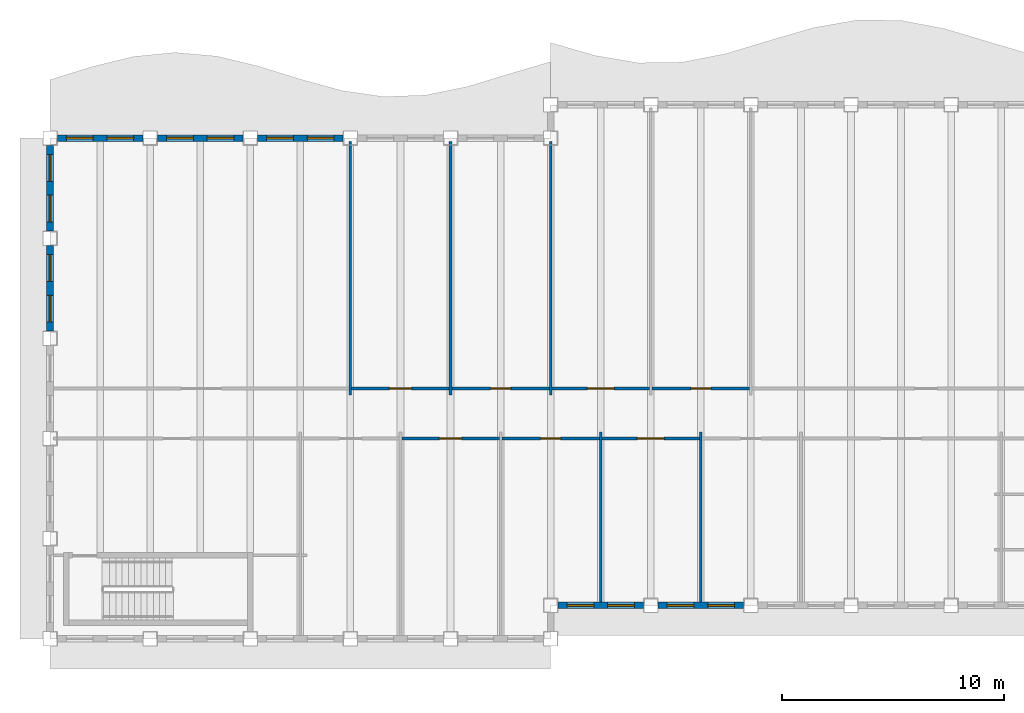
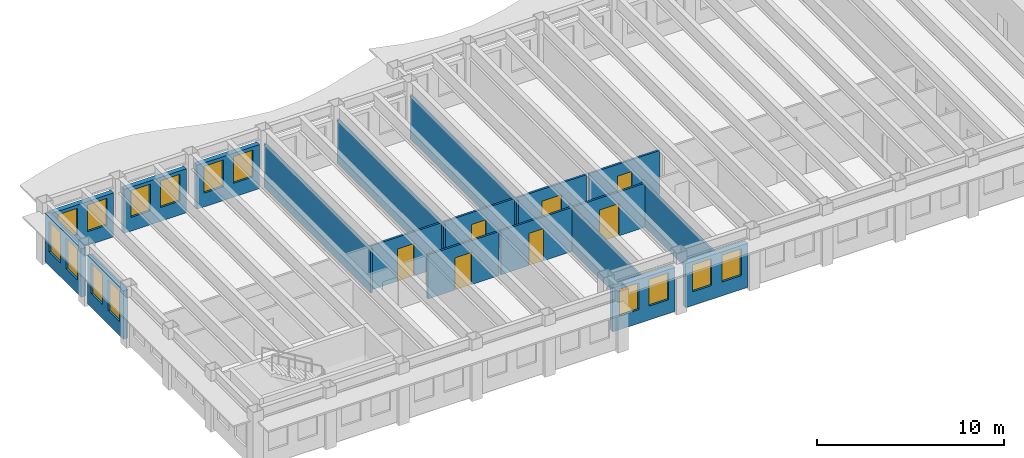
# One storey, part 3 of 12: 19 walls, 14 windows, 7 doors, 21 openings.
"""IFC4 building model written with IfcOpenShell, lengths in metres."""

import ifcopenshell
import ifcopenshell.guid

model = None  # the IFC model being written
_history = None  # IfcOwnerHistory: only IFC2X3 demands one
_inside = {}  # id of a spatial element -> (the spatial element, [elements in it])
_under = {}  # id of a project, library or spatial element -> (it, [spatial elements below it])
_declared = {}  # id of a project -> (the project, [libraries it declares])
_typed = {}  # id of a type object -> (the type object, [elements of that type])
_made_of = {}  # id of a material, layer set ... -> (it, [elements and type objects made of it])


def new_model(schema):
    """Start an empty IFC model of exactly this schema.

    Asked for "IFC4X3", IfcOpenShell would pick the latest addendum, in which some entities
    have other attributes; the version numbers below select the first issue.
    IFC2X3 requires an IfcOwnerHistory on every rooted entity: one is made here for all.
    """
    global model, _history
    if schema == "IFC4X3":
        model = ifcopenshell.file(schema_version=(4, 3, 0, 0))
    else:
        model = ifcopenshell.file(schema=schema)
    _inside.clear()
    _under.clear()
    _declared.clear()
    _typed.clear()
    _made_of.clear()
    _history = None
    if model.schema == "IFC2X3":
        org = make("IfcOrganization", Name="unknown")
        user = make(
            "IfcPersonAndOrganization",
            ThePerson=make("IfcPerson", FamilyName="unknown"),
            TheOrganization=org,
        )
        app = make(
            "IfcApplication",
            ApplicationDeveloper=org,
            Version="unknown",
            ApplicationFullName="unknown",
            ApplicationIdentifier="unknown",
        )
        _history = make(
            "IfcOwnerHistory",
            OwningUser=user,
            OwningApplication=app,
            ChangeAction="ADDED",
            CreationDate=0,
        )
    return model


def make(cls, **values):
    """One entity of the class cls with the attributes given. An attribute that is None is left unset."""
    return model.create_entity(
        cls, **{name: value for name, value in values.items() if value is not None}
    )


def rooted(cls, **values):
    """An entity with a GlobalId (a new one), such as an element, a storey or a relation."""
    return make(cls, GlobalId=ifcopenshell.guid.new(), OwnerHistory=_history, **values)


def si_unit(unit_type, name, prefix=None):
    """IfcSIUnit, for example si_unit("LENGTHUNIT", "METRE", prefix="MILLI")."""
    return make("IfcSIUnit", UnitType=unit_type, Prefix=prefix, Name=name)


def assignment(units):
    """IfcUnitAssignment: the units of a project."""
    return None if units is None else make("IfcUnitAssignment", Units=units)


def point(xyz):
    """IfcCartesianPoint."""
    return None if xyz is None else make("IfcCartesianPoint", Coordinates=xyz)


def direction(xyz):
    """IfcDirection."""
    return None if xyz is None else make("IfcDirection", DirectionRatios=xyz)


def frame(location, z_axis=None, x_axis=None):
    """IfcAxis2Placement3D, a coordinate frame: its origin and axes. An axis left out is left unset."""
    return make(
        "IfcAxis2Placement3D",
        Location=point(location),
        Axis=direction(z_axis),
        RefDirection=direction(x_axis),
    )


def frame_2d(location, x_axis=None):
    """IfcAxis2Placement2D, a coordinate frame in the plane: its origin and x axis."""
    return make(
        "IfcAxis2Placement2D", Location=point(location), RefDirection=direction(x_axis)
    )


def origin():
    """The frame at (0, 0, 0) with its axes left unset."""
    return frame((0.0, 0.0, 0.0))


def place(relative_to, where):
    """IfcLocalPlacement: puts the frame where relative to a parent placement (None: the world)."""
    return make(
        "IfcLocalPlacement", PlacementRelTo=relative_to, RelativePlacement=where
    )


def context(
    kind, dimensions, precision=None, world=None, true_north=None, identifier=None
):
    """IfcGeometricRepresentationContext, for example the 3D "Model" context."""
    return make(
        "IfcGeometricRepresentationContext",
        ContextIdentifier=identifier,
        ContextType=kind,
        CoordinateSpaceDimension=dimensions,
        Precision=precision,
        WorldCoordinateSystem=world,
        TrueNorth=true_north,
    )


def subcontext(parent, identifier, kind, view, scale=None):
    """IfcGeometricRepresentationSubContext, for example "Body" below "Model"."""
    return make(
        "IfcGeometricRepresentationSubContext",
        ContextIdentifier=identifier,
        ContextType=kind,
        ParentContext=parent,
        TargetScale=scale,
        TargetView=view,
    )


def project(units=None, contexts=None):
    """IfcProject with its units and contexts."""
    return rooted(
        "IfcProject",
        Name="project",
        RepresentationContexts=contexts,
        UnitsInContext=assignment(units),
    )


def spatial(cls, under=None, at=None, **own):
    """A site, building, storey or space (cls), placed at a placement, below another one or the project."""
    s = rooted(cls, ObjectPlacement=at, **own)
    if under is not None:
        _under.setdefault(under.id(), (under, []))[1].append(s)
    return s


def profile(cls, at=None, kind="AREA", **sizes):
    """A parametric profile (cls). Its sizes go by their IFC names, for example OverallWidth=200.0."""
    return make(cls, ProfileType=kind, Position=at, **sizes)


def rectangle(**sizes):
    """IfcRectangleProfileDef."""
    return profile("IfcRectangleProfileDef", **sizes)


def extrude(swept, where, along, depth):
    """IfcExtrudedAreaSolid: the profile swept, set in the frame where, extruded along a direction by depth."""
    return make(
        "IfcExtrudedAreaSolid",
        SweptArea=swept,
        Position=where,
        ExtrudedDirection=direction(along),
        Depth=depth,
    )


def shape(context_of_items, identifier, shape_type, items):
    """IfcShapeRepresentation: the items that make up one representation, for example the "Body"."""
    return make(
        "IfcShapeRepresentation",
        ContextOfItems=context_of_items,
        RepresentationIdentifier=identifier,
        RepresentationType=shape_type,
        Items=items,
    )


def material(Name=None, Category=None):
    """IfcMaterial."""
    return make("IfcMaterial", Name=Name, Category=Category)


def layer(
    of_material, thickness, ventilated=None, Name=None, Category=None, Priority=None
):
    """IfcMaterialLayer: one layer of a wall or slab, of a material (None: an air gap)."""
    return make(
        "IfcMaterialLayer",
        Material=of_material,
        LayerThickness=thickness,
        IsVentilated=ventilated,
        Name=Name,
        Category=Category,
        Priority=Priority,
    )


def layer_set(layers, Name=None):
    """IfcMaterialLayerSet."""
    return make("IfcMaterialLayerSet", MaterialLayers=layers, LayerSetName=Name)


def made_of(thing, what):
    """Note that an element or type object is made of a material, layer set ...; save() writes the relation."""
    if what is not None:
        _made_of.setdefault(what.id(), (what, []))[1].append(thing)
    return thing


def type_object(cls, material=None, **own):
    """A type object (cls), such as IfcWallType, which elements share."""
    return made_of(rooted(cls, **own), material)


def element(
    cls,
    number,
    at=None,
    inside=None,
    cuts=None,
    type_object=None,
    material=None,
    context=None,
    identifier="Body",
    shape_type=None,
    held_by="IfcProductDefinitionShape",
    body=None,
    shapes=None,
    **own,
):
    """One element of the class cls, such as IfcWall. Its Tag is "e" and its number.

    at: its placement. inside: the storey or other place that contains it. cuts: it is an
    opening in that element (IfcRelVoidsElement). A single representation is given by context,
    identifier, shape_type and body (its items); several are given by shapes. held_by: the class
    of the entity that holds the representations. save() writes the other relations.
    """
    e = rooted(cls, Tag="e%d" % number, ObjectPlacement=at, **own)
    if body is not None:
        shapes = [shape(context, identifier, shape_type, body)]
    if shapes is not None:
        e.Representation = make(held_by, Representations=shapes)
    if inside is not None:
        _inside.setdefault(inside.id(), (inside, []))[1].append(e)
    if cuts is not None:
        rooted(
            "IfcRelVoidsElement", RelatingBuildingElement=cuts, RelatedOpeningElement=e
        )
    if type_object is not None:
        _typed.setdefault(type_object.id(), (type_object, []))[1].append(e)
    return made_of(e, material)


def fill(opening, filler):
    """IfcRelFillsElement: the door or window that sits in an opening."""
    return rooted(
        "IfcRelFillsElement",
        RelatingOpeningElement=opening,
        RelatedBuildingElement=filler,
    )


def aggregate(whole, parts):
    """IfcRelAggregates: a whole, such as a stair, and the parts it consists of."""
    return rooted("IfcRelAggregates", RelatingObject=whole, RelatedObjects=parts)


def save(model, path):
    """Write the relations noted so far, then the file.

    IfcRelAggregates (storeys below a building ...), IfcRelContainedInSpatialStructure (elements
    in a storey), IfcRelDefinesByType, IfcRelAssociatesMaterial and IfcRelDeclares: one each for
    every whole, place, type object, material and project.
    """
    for whole, parts in _under.values():
        aggregate(whole, parts)
    for where, things in _inside.values():
        rooted(
            "IfcRelContainedInSpatialStructure",
            RelatedElements=things,
            RelatingStructure=where,
        )
    for kind, things in _typed.values():
        rooted("IfcRelDefinesByType", RelatedObjects=things, RelatingType=kind)
    for what, things in _made_of.values():
        rooted("IfcRelAssociatesMaterial", RelatedObjects=things, RelatingMaterial=what)
    for by, libraries in _declared.values():
        rooted("IfcRelDeclares", RelatingContext=by, RelatedDefinitions=libraries)
    model.write(path)


model = new_model("IFC4")

# Units and contexts
model_context = context("Model", 3, precision=1e-05, world=origin(), true_north=direction((0.0, 1.0)))
body_context = subcontext(model_context, "Body", "Model", "MODEL_VIEW")
ifc_project = project(units=[si_unit("LENGTHUNIT", "METRE"), si_unit("AREAUNIT", "SQUARE_METRE"), si_unit("VOLUMEUNIT", "CUBIC_METRE"), si_unit("PLANEANGLEUNIT", "RADIAN"), si_unit("MASSUNIT", "GRAM", prefix="KILO")], contexts=[model_context])

# Site, building, storey
site_placement = place(None, origin())
site = spatial("IfcSite", under=ifc_project, at=site_placement, CompositionType="ELEMENT")
building_placement = place(site_placement, origin())
building = spatial("IfcBuilding", under=site, at=building_placement, Name="Sennacour Bend Tower", CompositionType="ELEMENT")
storey_placement = place(building_placement, frame((0.0, 0.0, 289.0)))
storey = spatial("IfcBuildingStorey", under=building, at=storey_placement, Name="L67", CompositionType="ELEMENT", Elevation=289.0)

# Walls
ifc_material_1 = material(Name="Plasterboard partition on steel studs", Category="steel")
ifc_layer_1 = layer(ifc_material_1, 0.1201171875, Name="Plasterboard partition on steel studs", Category="steel")
ifc_layer_set_1 = layer_set([ifc_layer_1], Name="Plasterboard partition on steel studs")
wall_type_1 = type_object("IfcWallType", Name="Partition 120", PredefinedType="PARTITIONING", material=ifc_layer_set_1)
for number, where, z_axis, x_axis, name in (
    (1, (13.5, 10.949951171875, 0.0), (0.0, 0.0, 1.0), (0.0, 1.0, 0.0), "P-L67-W005a"),
    (2, (18.0, 10.949951171875, 0.0), (0.0, 0.0, 1.0), (0.0, 1.0, 0.0), "P-L67-W007a"),
    (3, (22.5, 10.949951171875, 0.0), (0.0, 0.0, 1.0), (0.0, 1.0, 0.0), "P-L67-W009a"),
):
    element("IfcWall", number, at=place(storey_placement, frame(where, z_axis=z_axis, x_axis=x_axis)), inside=storey, type_object=wall_type_1, Name=name, PredefinedType="PARTITIONING", context=body_context, shape_type="SweptSolid", body=[
        extrude(rectangle(XDim=11.400146484375, YDim=0.1201171875, at=frame_2d((5.7001953125, 0.0))), origin(), (0.0, 0.0, 1.0), 2.8701171875),
    ])
for number, where, z_axis, x_axis, name in (
    (4, (24.75, 1.64990234375, 0.0), (0.0, 0.0, 1.0), (0.0, 1.0, 0.0), "P-L67-W010a"),
    (5, (29.25, 1.64990234375, 0.0), (0.0, 0.0, 1.0), (0.0, 1.0, 0.0), "P-L67-W012a"),
):
    element("IfcWall", number, at=place(storey_placement, frame(where, z_axis=z_axis, x_axis=x_axis)), inside=storey, type_object=wall_type_1, Name=name, PredefinedType="PARTITIONING", context=body_context, shape_type="SweptSolid", body=[
        extrude(rectangle(XDim=7.650146484375, YDim=0.1201171875, at=frame_2d((3.8251953125, 0.0))), origin(), (0.0, 0.0, 1.0), 2.8701171875),
    ])

# Wall, opening, door
wall_1_placement = place(storey_placement, frame((15.81005859375, 9.0, 0.0), z_axis=(0.0, 0.0, 1.0), x_axis=(1.0, 0.0, 0.0)))
wall_1 = element("IfcWall", 6, at=wall_1_placement, inside=storey, type_object=wall_type_1, Name="P-L67-W041ac", PredefinedType="PARTITIONING", context=body_context, shape_type="SweptSolid", body=[
    extrude(rectangle(XDim=4.3798828125, YDim=0.1201171875, at=frame_2d((2.18994140625, 0.0))), origin(), (0.0, 0.0, 1.0), 2.8701171875),
])
opening_1_placement = place(wall_1_placement, frame((1.68994140625, 0.0, 0.0)))
opening_1 = element("IfcOpeningElement", 7, at=opening_1_placement, cuts=wall_1, Name="Opening OD2", PredefinedType="OPENING", context=body_context, shape_type="SweptSolid", body=[
    extrude(rectangle(XDim=1.0, YDim=2.10009765625, at=frame_2d((0.5, 1.050048828125))), frame((0.0, 0.070068359375, 0.0), z_axis=(0.0, -1.0, 0.0), x_axis=(1.0, 0.0, 0.0)), (0.0, 0.0, 1.0), 0.14013671875),
])
ifc_material_2 = material(Name="Timber", Category="wood")
door_type_1 = type_object("IfcDoorType", Name="DR-OFFICE-1000", OperationType="NOTDEFINED", PredefinedType="DOOR", material=ifc_material_2)
door_1_placement = place(opening_1_placement, origin())
door_1 = element("IfcDoor", 8, at=door_1_placement, inside=storey, type_object=door_type_1, Name="Door", OperationType="SINGLE_SWING_LEFT", OverallHeight=2.10009765625, OverallWidth=1.0, PredefinedType="DOOR", context=body_context, shape_type="SweptSolid", body=[
    extrude(rectangle(XDim=1.0, YDim=2.10009765625, at=frame_2d((0.5, 1.050048828125))), frame((0.0, 0.02490234375, 0.0), z_axis=(0.0, -1.0, 0.0), x_axis=(1.0, 0.0, 0.0)), (0.0, 0.0, 1.0), 0.050048828125),
])
fill(opening_1, door_1)

wall_2_placement = place(storey_placement, frame((24.81005859375, 9.0, 0.0), z_axis=(0.0, 0.0, 1.0), x_axis=(1.0, 0.0, 0.0)))
wall_2 = element("IfcWall", 9, at=wall_2_placement, inside=storey, type_object=wall_type_1, Name="P-L67-W041ae", PredefinedType="PARTITIONING", context=body_context, shape_type="SweptSolid", body=[
    extrude(rectangle(XDim=4.3798828125, YDim=0.1201171875, at=frame_2d((2.18994140625, 0.0))), origin(), (0.0, 0.0, 1.0), 2.8701171875),
])
opening_2_placement = place(wall_2_placement, frame((1.58984375, 0.0, 0.0)))
opening_2 = element("IfcOpeningElement", 10, at=opening_2_placement, cuts=wall_2, Name="Opening OD", PredefinedType="OPENING", context=body_context, shape_type="SweptSolid", body=[
    extrude(rectangle(XDim=1.199951171875, YDim=2.10009765625, at=frame_2d((0.60009765625, 1.050048828125))), frame((0.0, 0.070068359375, 0.0), z_axis=(0.0, -1.0, 0.0), x_axis=(1.0, 0.0, 0.0)), (0.0, 0.0, 1.0), 0.14013671875),
])
door_type_2 = type_object("IfcDoorType", Name="DR-OFFICE-1200", OperationType="NOTDEFINED", PredefinedType="DOOR", material=ifc_material_2)
door_2_placement = place(opening_2_placement, origin())
door_2 = element("IfcDoor", 11, at=door_2_placement, inside=storey, type_object=door_type_2, Name="Door", OperationType="SINGLE_SWING_LEFT", OverallHeight=2.10009765625, OverallWidth=1.199951171875, PredefinedType="DOOR", context=body_context, shape_type="SweptSolid", body=[
    extrude(rectangle(XDim=1.199951171875, YDim=2.10009765625, at=frame_2d((0.60009765625, 1.050048828125))), frame((0.0, 0.02490234375, 0.0), z_axis=(0.0, -1.0, 0.0), x_axis=(1.0, 0.0, 0.0)), (0.0, 0.0, 1.0), 0.050048828125),
])
fill(opening_2, door_2)

wall_3_placement = place(storey_placement, frame((13.56005859375, 11.25, 0.0), z_axis=(0.0, 0.0, 1.0), x_axis=(1.0, 0.0, 0.0)))
wall_3 = element("IfcWall", 12, at=wall_3_placement, inside=storey, type_object=wall_type_1, Name="P-L67-W043ab", PredefinedType="PARTITIONING", context=body_context, shape_type="SweptSolid", body=[
    extrude(rectangle(XDim=4.3798828125, YDim=0.1201171875, at=frame_2d((2.18994140625, 0.0))), origin(), (0.0, 0.0, 1.0), 2.8701171875),
])
opening_3_placement = place(wall_3_placement, frame((1.68994140625, 0.0, 0.0)))
opening_3 = element("IfcOpeningElement", 13, at=opening_3_placement, cuts=wall_3, Name="Opening OD2", PredefinedType="OPENING", context=body_context, shape_type="SweptSolid", body=[
    extrude(rectangle(XDim=1.0, YDim=2.10009765625, at=frame_2d((0.5, 1.050048828125))), frame((0.0, 0.070068359375, 0.0), z_axis=(0.0, -1.0, 0.0), x_axis=(1.0, 0.0, 0.0)), (0.0, 0.0, 1.0), 0.14013671875),
])
door_3_placement = place(opening_3_placement, origin())
door_3 = element("IfcDoor", 14, at=door_3_placement, inside=storey, type_object=door_type_1, Name="Door", OperationType="SINGLE_SWING_LEFT", OverallHeight=2.10009765625, OverallWidth=1.0, PredefinedType="DOOR", context=body_context, shape_type="SweptSolid", body=[
    extrude(rectangle(XDim=1.0, YDim=2.10009765625, at=frame_2d((0.5, 1.050048828125))), frame((0.0, 0.02490234375, 0.0), z_axis=(0.0, -1.0, 0.0), x_axis=(1.0, 0.0, 0.0)), (0.0, 0.0, 1.0), 0.050048828125),
])
fill(opening_3, door_3)

wall_4_placement = place(storey_placement, frame((22.56005859375, 11.25, 0.0), z_axis=(0.0, 0.0, 1.0), x_axis=(1.0, 0.0, 0.0)))
wall_4 = element("IfcWall", 15, at=wall_4_placement, inside=storey, type_object=wall_type_1, Name="P-L67-W043ad", PredefinedType="PARTITIONING", context=body_context, shape_type="SweptSolid", body=[
    extrude(rectangle(XDim=4.3798828125, YDim=0.1201171875, at=frame_2d((2.18994140625, 0.0))), origin(), (0.0, 0.0, 1.0), 2.8701171875),
])
opening_4_placement = place(wall_4_placement, frame((1.58984375, 0.0, 0.0)))
opening_4 = element("IfcOpeningElement", 16, at=opening_4_placement, cuts=wall_4, Name="Opening OD", PredefinedType="OPENING", context=body_context, shape_type="SweptSolid", body=[
    extrude(rectangle(XDim=1.199951171875, YDim=2.10009765625, at=frame_2d((0.60009765625, 1.050048828125))), frame((0.0, 0.070068359375, 0.0), z_axis=(0.0, -1.0, 0.0), x_axis=(1.0, 0.0, 0.0)), (0.0, 0.0, 1.0), 0.14013671875),
])
door_4_placement = place(opening_4_placement, origin())
door_4 = element("IfcDoor", 17, at=door_4_placement, inside=storey, type_object=door_type_2, Name="Door", OperationType="SINGLE_SWING_LEFT", OverallHeight=2.10009765625, OverallWidth=1.199951171875, PredefinedType="DOOR", context=body_context, shape_type="SweptSolid", body=[
    extrude(rectangle(XDim=1.199951171875, YDim=2.10009765625, at=frame_2d((0.60009765625, 1.050048828125))), frame((0.0, 0.02490234375, 0.0), z_axis=(0.0, -1.0, 0.0), x_axis=(1.0, 0.0, 0.0)), (0.0, 0.0, 1.0), 0.050048828125),
])
fill(opening_4, door_4)

ifc_layer_2 = layer(ifc_material_1, 0.1201171875, Name="Plasterboard partition on steel studs", Category="steel")
ifc_layer_set_2 = layer_set([ifc_layer_2], Name="Plasterboard partition on steel studs")
wall_type_2 = type_object("IfcWallType", Name="Partition 120 EI 60", PredefinedType="PARTITIONING", material=ifc_layer_set_2)
wall_5_placement = place(storey_placement, frame((20.31005859375, 9.0, 0.0), z_axis=(0.0, 0.0, 1.0), x_axis=(1.0, 0.0, 0.0)))
wall_5 = element("IfcWall", 18, at=wall_5_placement, inside=storey, type_object=wall_type_2, Name="P-L67-W041ad", PredefinedType="PARTITIONING", context=body_context, shape_type="SweptSolid", body=[
    extrude(rectangle(XDim=4.3798828125, YDim=0.1201171875, at=frame_2d((2.18994140625, 0.0))), origin(), (0.0, 0.0, 1.0), 2.8701171875),
])
opening_5_placement = place(wall_5_placement, frame((1.739990234375, 0.0, 0.0)))
opening_5 = element("IfcOpeningElement", 19, at=opening_5_placement, cuts=wall_5, Name="Opening SV", PredefinedType="OPENING", context=body_context, shape_type="SweptSolid", body=[
    extrude(rectangle(XDim=0.89990234375, YDim=2.10009765625, at=frame_2d((0.449951171875, 1.050048828125))), frame((0.0, 0.070068359375, 0.0), z_axis=(0.0, -1.0, 0.0), x_axis=(1.0, 0.0, 0.0)), (0.0, 0.0, 1.0), 0.14013671875),
])
ifc_material_3 = material(Name="Painted steel", Category="steel")
door_type_3 = type_object("IfcDoorType", Name="DR-SERVICE-900", OperationType="NOTDEFINED", PredefinedType="DOOR", material=ifc_material_3)
door_5_placement = place(opening_5_placement, origin())
door_5 = element("IfcDoor", 20, at=door_5_placement, inside=storey, type_object=door_type_3, Name="Door", OperationType="SINGLE_SWING_LEFT", OverallHeight=2.10009765625, OverallWidth=0.89990234375, PredefinedType="DOOR", context=body_context, shape_type="SweptSolid", body=[
    extrude(rectangle(XDim=0.89990234375, YDim=2.10009765625, at=frame_2d((0.449951171875, 1.050048828125))), frame((0.0, 0.02490234375, 0.0), z_axis=(0.0, -1.0, 0.0), x_axis=(1.0, 0.0, 0.0)), (0.0, 0.0, 1.0), 0.050048828125),
])
fill(opening_5, door_5)

wall_6_placement = place(storey_placement, frame((18.06005859375, 11.25, 0.0), z_axis=(0.0, 0.0, 1.0), x_axis=(1.0, 0.0, 0.0)))
wall_6 = element("IfcWall", 21, at=wall_6_placement, inside=storey, type_object=wall_type_2, Name="P-L67-W043ac", PredefinedType="PARTITIONING", context=body_context, shape_type="SweptSolid", body=[
    extrude(rectangle(XDim=4.3798828125, YDim=0.1201171875, at=frame_2d((2.18994140625, 0.0))), origin(), (0.0, 0.0, 1.0), 2.8701171875),
])
opening_6_placement = place(wall_6_placement, frame((1.739990234375, 0.0, 0.0)))
opening_6 = element("IfcOpeningElement", 22, at=opening_6_placement, cuts=wall_6, Name="Opening SV", PredefinedType="OPENING", context=body_context, shape_type="SweptSolid", body=[
    extrude(rectangle(XDim=0.89990234375, YDim=2.10009765625, at=frame_2d((0.449951171875, 1.050048828125))), frame((0.0, 0.070068359375, 0.0), z_axis=(0.0, -1.0, 0.0), x_axis=(1.0, 0.0, 0.0)), (0.0, 0.0, 1.0), 0.14013671875),
])
door_6_placement = place(opening_6_placement, origin())
door_6 = element("IfcDoor", 23, at=door_6_placement, inside=storey, type_object=door_type_3, Name="Door", OperationType="SINGLE_SWING_LEFT", OverallHeight=2.10009765625, OverallWidth=0.89990234375, PredefinedType="DOOR", context=body_context, shape_type="SweptSolid", body=[
    extrude(rectangle(XDim=0.89990234375, YDim=2.10009765625, at=frame_2d((0.449951171875, 1.050048828125))), frame((0.0, 0.02490234375, 0.0), z_axis=(0.0, -1.0, 0.0), x_axis=(1.0, 0.0, 0.0)), (0.0, 0.0, 1.0), 0.050048828125),
])
fill(opening_6, door_6)

wall_7_placement = place(storey_placement, frame((27.06005859375, 11.25, 0.0), z_axis=(0.0, 0.0, 1.0), x_axis=(1.0, 0.0, 0.0)))
wall_7 = element("IfcWall", 24, at=wall_7_placement, inside=storey, type_object=wall_type_2, Name="P-L67-W043ae", PredefinedType="PARTITIONING", context=body_context, shape_type="SweptSolid", body=[
    extrude(rectangle(XDim=4.3798828125, YDim=0.1201171875, at=frame_2d((2.18994140625, 0.0))), origin(), (0.0, 0.0, 1.0), 2.8701171875),
])
opening_7_placement = place(wall_7_placement, frame((1.739990234375, 0.0, 0.0)))
opening_7 = element("IfcOpeningElement", 25, at=opening_7_placement, cuts=wall_7, Name="Opening SV", PredefinedType="OPENING", context=body_context, shape_type="SweptSolid", body=[
    extrude(rectangle(XDim=0.89990234375, YDim=2.10009765625, at=frame_2d((0.449951171875, 1.050048828125))), frame((0.0, 0.070068359375, 0.0), z_axis=(0.0, -1.0, 0.0), x_axis=(1.0, 0.0, 0.0)), (0.0, 0.0, 1.0), 0.14013671875),
])
door_7_placement = place(opening_7_placement, origin())
door_7 = element("IfcDoor", 26, at=door_7_placement, inside=storey, type_object=door_type_3, Name="Door", OperationType="SINGLE_SWING_LEFT", OverallHeight=2.10009765625, OverallWidth=0.89990234375, PredefinedType="DOOR", context=body_context, shape_type="SweptSolid", body=[
    extrude(rectangle(XDim=0.89990234375, YDim=2.10009765625, at=frame_2d((0.449951171875, 1.050048828125))), frame((0.0, 0.02490234375, 0.0), z_axis=(0.0, -1.0, 0.0), x_axis=(1.0, 0.0, 0.0)), (0.0, 0.0, 1.0), 0.050048828125),
])
fill(opening_7, door_7)

# Wall, openings, windows
ifc_material_4 = material(Name="Warm limestone cladding", Category="masonry")
ifc_layer_3 = layer(ifc_material_4, 0.050048828125, Name="Warm limestone cladding", Category="masonry")
ifc_material_5 = material(Name="Precast concrete C40/50", Category="concrete")
ifc_layer_4 = layer(ifc_material_5, 0.25, Name="Precast concrete C40/50", Category="concrete")
ifc_layer_set_3 = layer_set([ifc_layer_3, ifc_layer_4], Name="Precast concrete C40/50 with limestone cladding")
wall_type_3 = type_object("IfcWallType", Name="STONE-CLAD PRECAST SPANDREL 300", PredefinedType="STANDARD", material=ifc_layer_set_3)
wall_8_placement = place(storey_placement, frame((22.824951171875, 1.5, 0.0), z_axis=(0.0, 0.0, 1.0), x_axis=(1.0, 0.0, 0.0)))
wall_8 = element("IfcWall", 27, at=wall_8_placement, inside=storey, type_object=wall_type_3, Name="Stone spandrel and pier wall L67 01.00", PredefinedType="STANDARD", context=body_context, shape_type="SweptSolid", body=[
    extrude(rectangle(XDim=3.85009765625, YDim=0.300048828125, at=frame_2d((1.925048828125, 0.0))), origin(), (0.0, 0.0, 1.0), 2.8701171875),
])
opening_8_placement = place(wall_8_placement, frame((0.41259765625, 0.0, 0.89990234375)))
opening_8 = element("IfcOpeningElement", 28, at=opening_8_placement, cuts=wall_8, Name="Opening W16", PredefinedType="OPENING", context=body_context, shape_type="SweptSolid", body=[
    extrude(rectangle(XDim=1.199951171875, YDim=1.75, at=frame_2d((0.60009765625, 0.875))), frame((0.0, 0.16015625, 0.0), z_axis=(0.0, -1.0, 0.0), x_axis=(1.0, 0.0, 0.0)), (0.0, 0.0, 1.0), 0.320068359375),
])
opening_9_placement = place(wall_8_placement, frame((2.237548828125, 0.0, 0.89990234375)))
opening_9 = element("IfcOpeningElement", 29, at=opening_9_placement, cuts=wall_8, Name="Opening W16", PredefinedType="OPENING", context=body_context, shape_type="SweptSolid", body=[
    extrude(rectangle(XDim=1.199951171875, YDim=1.75, at=frame_2d((0.60009765625, 0.875))), frame((0.0, 0.16015625, 0.0), z_axis=(0.0, -1.0, 0.0), x_axis=(1.0, 0.0, 0.0)), (0.0, 0.0, 1.0), 0.320068359375),
])
ifc_material_6 = material(Name="Clear low-emissivity glass", Category="glass")
window_type_1 = type_object("IfcWindowType", Name="WIN-RIBBON-1200x1750", PartitioningType="SINGLE_PANEL", PredefinedType="WINDOW", material=ifc_material_6)
window_1_placement = place(opening_8_placement, origin())
window_1 = element("IfcWindow", 30, at=window_1_placement, inside=storey, type_object=window_type_1, Name="Ribbon window L67 01.00.0", OverallHeight=1.75, OverallWidth=1.199951171875, PartitioningType="SINGLE_PANEL", PredefinedType="WINDOW", context=body_context, shape_type="SweptSolid", body=[
    extrude(rectangle(XDim=1.199951171875, YDim=1.75, at=frame_2d((0.60009765625, 0.875))), frame((0.0, 0.030029296875, 0.0), z_axis=(0.0, -1.0, 0.0), x_axis=(1.0, 0.0, 0.0)), (0.0, 0.0, 1.0), 0.06005859375),
])
fill(opening_8, window_1)
window_2_placement = place(opening_9_placement, origin())
window_2 = element("IfcWindow", 31, at=window_2_placement, inside=storey, type_object=window_type_1, Name="Ribbon window L67 01.00.1", OverallHeight=1.75, OverallWidth=1.199951171875, PartitioningType="SINGLE_PANEL", PredefinedType="WINDOW", context=body_context, shape_type="SweptSolid", body=[
    extrude(rectangle(XDim=1.199951171875, YDim=1.75, at=frame_2d((0.60009765625, 0.875))), frame((0.0, 0.030029296875, 0.0), z_axis=(0.0, -1.0, 0.0), x_axis=(1.0, 0.0, 0.0)), (0.0, 0.0, 1.0), 0.06005859375),
])
fill(opening_9, window_2)

wall_9_placement = place(storey_placement, frame((27.324951171875, 1.5, 0.0), z_axis=(0.0, 0.0, 1.0), x_axis=(1.0, 0.0, 0.0)))
wall_9 = element("IfcWall", 32, at=wall_9_placement, inside=storey, type_object=wall_type_3, Name="Stone spandrel and pier wall L67 01.01", PredefinedType="STANDARD", context=body_context, shape_type="SweptSolid", body=[
    extrude(rectangle(XDim=3.85009765625, YDim=0.300048828125, at=frame_2d((1.925048828125, 0.0))), origin(), (0.0, 0.0, 1.0), 2.8701171875),
])
opening_10_placement = place(wall_9_placement, frame((0.41259765625, 0.0, 0.89990234375)))
opening_10 = element("IfcOpeningElement", 33, at=opening_10_placement, cuts=wall_9, Name="Opening W16", PredefinedType="OPENING", context=body_context, shape_type="SweptSolid", body=[
    extrude(rectangle(XDim=1.199951171875, YDim=1.75, at=frame_2d((0.60009765625, 0.875))), frame((0.0, 0.16015625, 0.0), z_axis=(0.0, -1.0, 0.0), x_axis=(1.0, 0.0, 0.0)), (0.0, 0.0, 1.0), 0.320068359375),
])
opening_11_placement = place(wall_9_placement, frame((2.237548828125, 0.0, 0.89990234375)))
opening_11 = element("IfcOpeningElement", 34, at=opening_11_placement, cuts=wall_9, Name="Opening W16", PredefinedType="OPENING", context=body_context, shape_type="SweptSolid", body=[
    extrude(rectangle(XDim=1.199951171875, YDim=1.75, at=frame_2d((0.60009765625, 0.875))), frame((0.0, 0.16015625, 0.0), z_axis=(0.0, -1.0, 0.0), x_axis=(1.0, 0.0, 0.0)), (0.0, 0.0, 1.0), 0.320068359375),
])
window_3_placement = place(opening_10_placement, origin())
window_3 = element("IfcWindow", 35, at=window_3_placement, inside=storey, type_object=window_type_1, Name="Ribbon window L67 01.01.0", OverallHeight=1.75, OverallWidth=1.199951171875, PartitioningType="SINGLE_PANEL", PredefinedType="WINDOW", context=body_context, shape_type="SweptSolid", body=[
    extrude(rectangle(XDim=1.199951171875, YDim=1.75, at=frame_2d((0.60009765625, 0.875))), frame((0.0, 0.030029296875, 0.0), z_axis=(0.0, -1.0, 0.0), x_axis=(1.0, 0.0, 0.0)), (0.0, 0.0, 1.0), 0.06005859375),
])
fill(opening_10, window_3)
window_4_placement = place(opening_11_placement, origin())
window_4 = element("IfcWindow", 36, at=window_4_placement, inside=storey, type_object=window_type_1, Name="Ribbon window L67 01.01.1", OverallHeight=1.75, OverallWidth=1.199951171875, PartitioningType="SINGLE_PANEL", PredefinedType="WINDOW", context=body_context, shape_type="SweptSolid", body=[
    extrude(rectangle(XDim=1.199951171875, YDim=1.75, at=frame_2d((0.60009765625, 0.875))), frame((0.0, 0.030029296875, 0.0), z_axis=(0.0, -1.0, 0.0), x_axis=(1.0, 0.0, 0.0)), (0.0, 0.0, 1.0), 0.06005859375),
])
fill(opening_11, window_4)

wall_10_placement = place(storey_placement, frame((13.175048828125, 22.5, 0.0), z_axis=(0.0, 0.0, 1.0), x_axis=(-1.0, 0.0, 0.0)))
wall_10 = element("IfcWall", 37, at=wall_10_placement, inside=storey, type_object=wall_type_3, Name="Stone spandrel and pier wall L67 09.02", PredefinedType="STANDARD", context=body_context, shape_type="SweptSolid", body=[
    extrude(rectangle(XDim=3.85009765625, YDim=0.300048828125, at=frame_2d((1.925048828125, 0.0))), origin(), (0.0, 0.0, 1.0), 2.8701171875),
])
opening_12_placement = place(wall_10_placement, frame((0.41259765625, 0.0, 0.89990234375)))
opening_12 = element("IfcOpeningElement", 38, at=opening_12_placement, cuts=wall_10, Name="Opening W16", PredefinedType="OPENING", context=body_context, shape_type="SweptSolid", body=[
    extrude(rectangle(XDim=1.199951171875, YDim=1.75, at=frame_2d((0.60009765625, 0.875))), frame((0.0, 0.16015625, 0.0), z_axis=(0.0, -1.0, 0.0), x_axis=(1.0, 0.0, 0.0)), (0.0, 0.0, 1.0), 0.320068359375),
])
opening_13_placement = place(wall_10_placement, frame((2.237548828125, 0.0, 0.89990234375)))
opening_13 = element("IfcOpeningElement", 39, at=opening_13_placement, cuts=wall_10, Name="Opening W16", PredefinedType="OPENING", context=body_context, shape_type="SweptSolid", body=[
    extrude(rectangle(XDim=1.199951171875, YDim=1.75, at=frame_2d((0.60009765625, 0.875))), frame((0.0, 0.16015625, 0.0), z_axis=(0.0, -1.0, 0.0), x_axis=(1.0, 0.0, 0.0)), (0.0, 0.0, 1.0), 0.320068359375),
])
window_5_placement = place(opening_12_placement, origin())
window_5 = element("IfcWindow", 40, at=window_5_placement, inside=storey, type_object=window_type_1, Name="Ribbon window L67 09.02.0", OverallHeight=1.75, OverallWidth=1.199951171875, PartitioningType="SINGLE_PANEL", PredefinedType="WINDOW", context=body_context, shape_type="SweptSolid", body=[
    extrude(rectangle(XDim=1.199951171875, YDim=1.75, at=frame_2d((0.60009765625, 0.875))), frame((0.0, 0.030029296875, 0.0), z_axis=(0.0, -1.0, 0.0), x_axis=(1.0, 0.0, 0.0)), (0.0, 0.0, 1.0), 0.06005859375),
])
fill(opening_12, window_5)
window_6_placement = place(opening_13_placement, origin())
window_6 = element("IfcWindow", 41, at=window_6_placement, inside=storey, type_object=window_type_1, Name="Ribbon window L67 09.02.1", OverallHeight=1.75, OverallWidth=1.199951171875, PartitioningType="SINGLE_PANEL", PredefinedType="WINDOW", context=body_context, shape_type="SweptSolid", body=[
    extrude(rectangle(XDim=1.199951171875, YDim=1.75, at=frame_2d((0.60009765625, 0.875))), frame((0.0, 0.030029296875, 0.0), z_axis=(0.0, -1.0, 0.0), x_axis=(1.0, 0.0, 0.0)), (0.0, 0.0, 1.0), 0.06005859375),
])
fill(opening_13, window_6)

wall_11_placement = place(storey_placement, frame((8.675048828125, 22.5, 0.0), z_axis=(0.0, 0.0, 1.0), x_axis=(-1.0, 0.0, 0.0)))
wall_11 = element("IfcWall", 42, at=wall_11_placement, inside=storey, type_object=wall_type_3, Name="Stone spandrel and pier wall L67 09.03", PredefinedType="STANDARD", context=body_context, shape_type="SweptSolid", body=[
    extrude(rectangle(XDim=3.85009765625, YDim=0.300048828125, at=frame_2d((1.925048828125, 0.0))), origin(), (0.0, 0.0, 1.0), 2.8701171875),
])
opening_14_placement = place(wall_11_placement, frame((0.41259765625, 0.0, 0.89990234375)))
opening_14 = element("IfcOpeningElement", 43, at=opening_14_placement, cuts=wall_11, Name="Opening W16", PredefinedType="OPENING", context=body_context, shape_type="SweptSolid", body=[
    extrude(rectangle(XDim=1.199951171875, YDim=1.75, at=frame_2d((0.60009765625, 0.875))), frame((0.0, 0.16015625, 0.0), z_axis=(0.0, -1.0, 0.0), x_axis=(1.0, 0.0, 0.0)), (0.0, 0.0, 1.0), 0.320068359375),
])
opening_15_placement = place(wall_11_placement, frame((2.237548828125, 0.0, 0.89990234375)))
opening_15 = element("IfcOpeningElement", 44, at=opening_15_placement, cuts=wall_11, Name="Opening W16", PredefinedType="OPENING", context=body_context, shape_type="SweptSolid", body=[
    extrude(rectangle(XDim=1.199951171875, YDim=1.75, at=frame_2d((0.60009765625, 0.875))), frame((0.0, 0.16015625, 0.0), z_axis=(0.0, -1.0, 0.0), x_axis=(1.0, 0.0, 0.0)), (0.0, 0.0, 1.0), 0.320068359375),
])
window_7_placement = place(opening_14_placement, origin())
window_7 = element("IfcWindow", 45, at=window_7_placement, inside=storey, type_object=window_type_1, Name="Ribbon window L67 09.03.0", OverallHeight=1.75, OverallWidth=1.199951171875, PartitioningType="SINGLE_PANEL", PredefinedType="WINDOW", context=body_context, shape_type="SweptSolid", body=[
    extrude(rectangle(XDim=1.199951171875, YDim=1.75, at=frame_2d((0.60009765625, 0.875))), frame((0.0, 0.030029296875, 0.0), z_axis=(0.0, -1.0, 0.0), x_axis=(1.0, 0.0, 0.0)), (0.0, 0.0, 1.0), 0.06005859375),
])
fill(opening_14, window_7)
window_8_placement = place(opening_15_placement, origin())
window_8 = element("IfcWindow", 46, at=window_8_placement, inside=storey, type_object=window_type_1, Name="Ribbon window L67 09.03.1", OverallHeight=1.75, OverallWidth=1.199951171875, PartitioningType="SINGLE_PANEL", PredefinedType="WINDOW", context=body_context, shape_type="SweptSolid", body=[
    extrude(rectangle(XDim=1.199951171875, YDim=1.75, at=frame_2d((0.60009765625, 0.875))), frame((0.0, 0.030029296875, 0.0), z_axis=(0.0, -1.0, 0.0), x_axis=(1.0, 0.0, 0.0)), (0.0, 0.0, 1.0), 0.06005859375),
])
fill(opening_15, window_8)

wall_12_placement = place(storey_placement, frame((4.175048828125, 22.5, 0.0), z_axis=(0.0, 0.0, 1.0), x_axis=(-1.0, 0.0, 0.0)))
wall_12 = element("IfcWall", 47, at=wall_12_placement, inside=storey, type_object=wall_type_3, Name="Stone spandrel and pier wall L67 09.04", PredefinedType="STANDARD", context=body_context, shape_type="SweptSolid", body=[
    extrude(rectangle(XDim=3.85009765625, YDim=0.300048828125, at=frame_2d((1.925048828125, 0.0))), origin(), (0.0, 0.0, 1.0), 2.8701171875),
])
opening_16_placement = place(wall_12_placement, frame((0.41259765625, 0.0, 0.89990234375)))
opening_16 = element("IfcOpeningElement", 48, at=opening_16_placement, cuts=wall_12, Name="Opening W16", PredefinedType="OPENING", context=body_context, shape_type="SweptSolid", body=[
    extrude(rectangle(XDim=1.199951171875, YDim=1.75, at=frame_2d((0.60009765625, 0.875))), frame((0.0, 0.16015625, 0.0), z_axis=(0.0, -1.0, 0.0), x_axis=(1.0, 0.0, 0.0)), (0.0, 0.0, 1.0), 0.320068359375),
])
opening_17_placement = place(wall_12_placement, frame((2.237548828125, 0.0, 0.89990234375)))
opening_17 = element("IfcOpeningElement", 49, at=opening_17_placement, cuts=wall_12, Name="Opening W16", PredefinedType="OPENING", context=body_context, shape_type="SweptSolid", body=[
    extrude(rectangle(XDim=1.199951171875, YDim=1.75, at=frame_2d((0.60009765625, 0.875))), frame((0.0, 0.16015625, 0.0), z_axis=(0.0, -1.0, 0.0), x_axis=(1.0, 0.0, 0.0)), (0.0, 0.0, 1.0), 0.320068359375),
])
window_9_placement = place(opening_16_placement, origin())
window_9 = element("IfcWindow", 50, at=window_9_placement, inside=storey, type_object=window_type_1, Name="Ribbon window L67 09.04.0", OverallHeight=1.75, OverallWidth=1.199951171875, PartitioningType="SINGLE_PANEL", PredefinedType="WINDOW", context=body_context, shape_type="SweptSolid", body=[
    extrude(rectangle(XDim=1.199951171875, YDim=1.75, at=frame_2d((0.60009765625, 0.875))), frame((0.0, 0.030029296875, 0.0), z_axis=(0.0, -1.0, 0.0), x_axis=(1.0, 0.0, 0.0)), (0.0, 0.0, 1.0), 0.06005859375),
])
fill(opening_16, window_9)
window_10_placement = place(opening_17_placement, origin())
window_10 = element("IfcWindow", 51, at=window_10_placement, inside=storey, type_object=window_type_1, Name="Ribbon window L67 09.04.1", OverallHeight=1.75, OverallWidth=1.199951171875, PartitioningType="SINGLE_PANEL", PredefinedType="WINDOW", context=body_context, shape_type="SweptSolid", body=[
    extrude(rectangle(XDim=1.199951171875, YDim=1.75, at=frame_2d((0.60009765625, 0.875))), frame((0.0, 0.030029296875, 0.0), z_axis=(0.0, -1.0, 0.0), x_axis=(1.0, 0.0, 0.0)), (0.0, 0.0, 1.0), 0.06005859375),
])
fill(opening_17, window_10)

wall_13_placement = place(storey_placement, frame((0.0, 22.175048828125, 0.0), z_axis=(0.0, 0.0, 1.0), x_axis=(0.0, -1.0, 0.0)))
wall_13 = element("IfcWall", 52, at=wall_13_placement, inside=storey, type_object=wall_type_3, Name="Stone spandrel and pier wall L67 10.00", PredefinedType="STANDARD", context=body_context, shape_type="SweptSolid", body=[
    extrude(rectangle(XDim=3.85009765625, YDim=0.300048828125, at=frame_2d((1.925048828125, 0.0))), origin(), (0.0, 0.0, 1.0), 3.162109375),
])
opening_18_placement = place(wall_13_placement, frame((0.41259765625, 0.0, 0.89990234375)))
opening_18 = element("IfcOpeningElement", 53, at=opening_18_placement, cuts=wall_13, Name="Opening W14", PredefinedType="OPENING", context=body_context, shape_type="SweptSolid", body=[
    extrude(rectangle(XDim=1.199951171875, YDim=2.0, at=frame_2d((0.60009765625, 1.0))), frame((0.0, 0.16015625, 0.0), z_axis=(0.0, -1.0, 0.0), x_axis=(1.0, 0.0, 0.0)), (0.0, 0.0, 1.0), 0.320068359375),
])
opening_19_placement = place(wall_13_placement, frame((2.237548828125, 0.0, 0.89990234375)))
opening_19 = element("IfcOpeningElement", 54, at=opening_19_placement, cuts=wall_13, Name="Opening W14", PredefinedType="OPENING", context=body_context, shape_type="SweptSolid", body=[
    extrude(rectangle(XDim=1.199951171875, YDim=2.0, at=frame_2d((0.60009765625, 1.0))), frame((0.0, 0.16015625, 0.0), z_axis=(0.0, -1.0, 0.0), x_axis=(1.0, 0.0, 0.0)), (0.0, 0.0, 1.0), 0.320068359375),
])
window_type_2 = type_object("IfcWindowType", Name="WIN-RIBBON-1200x2000", PartitioningType="SINGLE_PANEL", PredefinedType="WINDOW", material=ifc_material_6)
window_11_placement = place(opening_18_placement, origin())
window_11 = element("IfcWindow", 55, at=window_11_placement, inside=storey, type_object=window_type_2, Name="Ribbon window L67 10.00.0", OverallHeight=2.0, OverallWidth=1.199951171875, PartitioningType="SINGLE_PANEL", PredefinedType="WINDOW", context=body_context, shape_type="SweptSolid", body=[
    extrude(rectangle(XDim=1.199951171875, YDim=2.0, at=frame_2d((0.60009765625, 1.0))), frame((0.0, 0.030029296875, 0.0), z_axis=(0.0, -1.0, 0.0), x_axis=(1.0, 0.0, 0.0)), (0.0, 0.0, 1.0), 0.06005859375),
])
fill(opening_18, window_11)
window_12_placement = place(opening_19_placement, origin())
window_12 = element("IfcWindow", 56, at=window_12_placement, inside=storey, type_object=window_type_2, Name="Ribbon window L67 10.00.1", OverallHeight=2.0, OverallWidth=1.199951171875, PartitioningType="SINGLE_PANEL", PredefinedType="WINDOW", context=body_context, shape_type="SweptSolid", body=[
    extrude(rectangle(XDim=1.199951171875, YDim=2.0, at=frame_2d((0.60009765625, 1.0))), frame((0.0, 0.030029296875, 0.0), z_axis=(0.0, -1.0, 0.0), x_axis=(1.0, 0.0, 0.0)), (0.0, 0.0, 1.0), 0.06005859375),
])
fill(opening_19, window_12)

wall_14_placement = place(storey_placement, frame((0.0, 17.675048828125, 0.0), z_axis=(0.0, 0.0, 1.0), x_axis=(0.0, -1.0, 0.0)))
wall_14 = element("IfcWall", 57, at=wall_14_placement, inside=storey, type_object=wall_type_3, Name="Stone spandrel and pier wall L67 10.01", PredefinedType="STANDARD", context=body_context, shape_type="SweptSolid", body=[
    extrude(rectangle(XDim=3.85009765625, YDim=0.300048828125, at=frame_2d((1.925048828125, 0.0))), origin(), (0.0, 0.0, 1.0), 3.162109375),
])
opening_20_placement = place(wall_14_placement, frame((0.41259765625, 0.0, 0.89990234375)))
opening_20 = element("IfcOpeningElement", 58, at=opening_20_placement, cuts=wall_14, Name="Opening W14", PredefinedType="OPENING", context=body_context, shape_type="SweptSolid", body=[
    extrude(rectangle(XDim=1.199951171875, YDim=2.0, at=frame_2d((0.60009765625, 1.0))), frame((0.0, 0.16015625, 0.0), z_axis=(0.0, -1.0, 0.0), x_axis=(1.0, 0.0, 0.0)), (0.0, 0.0, 1.0), 0.320068359375),
])
opening_21_placement = place(wall_14_placement, frame((2.237548828125, 0.0, 0.89990234375)))
opening_21 = element("IfcOpeningElement", 59, at=opening_21_placement, cuts=wall_14, Name="Opening W14", PredefinedType="OPENING", context=body_context, shape_type="SweptSolid", body=[
    extrude(rectangle(XDim=1.199951171875, YDim=2.0, at=frame_2d((0.60009765625, 1.0))), frame((0.0, 0.16015625, 0.0), z_axis=(0.0, -1.0, 0.0), x_axis=(1.0, 0.0, 0.0)), (0.0, 0.0, 1.0), 0.320068359375),
])
window_13_placement = place(opening_20_placement, origin())
window_13 = element("IfcWindow", 60, at=window_13_placement, inside=storey, type_object=window_type_2, Name="Ribbon window L67 10.01.0", OverallHeight=2.0, OverallWidth=1.199951171875, PartitioningType="SINGLE_PANEL", PredefinedType="WINDOW", context=body_context, shape_type="SweptSolid", body=[
    extrude(rectangle(XDim=1.199951171875, YDim=2.0, at=frame_2d((0.60009765625, 1.0))), frame((0.0, 0.030029296875, 0.0), z_axis=(0.0, -1.0, 0.0), x_axis=(1.0, 0.0, 0.0)), (0.0, 0.0, 1.0), 0.06005859375),
])
fill(opening_20, window_13)
window_14_placement = place(opening_21_placement, origin())
window_14 = element("IfcWindow", 61, at=window_14_placement, inside=storey, type_object=window_type_2, Name="Ribbon window L67 10.01.1", OverallHeight=2.0, OverallWidth=1.199951171875, PartitioningType="SINGLE_PANEL", PredefinedType="WINDOW", context=body_context, shape_type="SweptSolid", body=[
    extrude(rectangle(XDim=1.199951171875, YDim=2.0, at=frame_2d((0.60009765625, 1.0))), frame((0.0, 0.030029296875, 0.0), z_axis=(0.0, -1.0, 0.0), x_axis=(1.0, 0.0, 0.0)), (0.0, 0.0, 1.0), 0.06005859375),
])
fill(opening_21, window_14)

save(model, "model.ifc")
